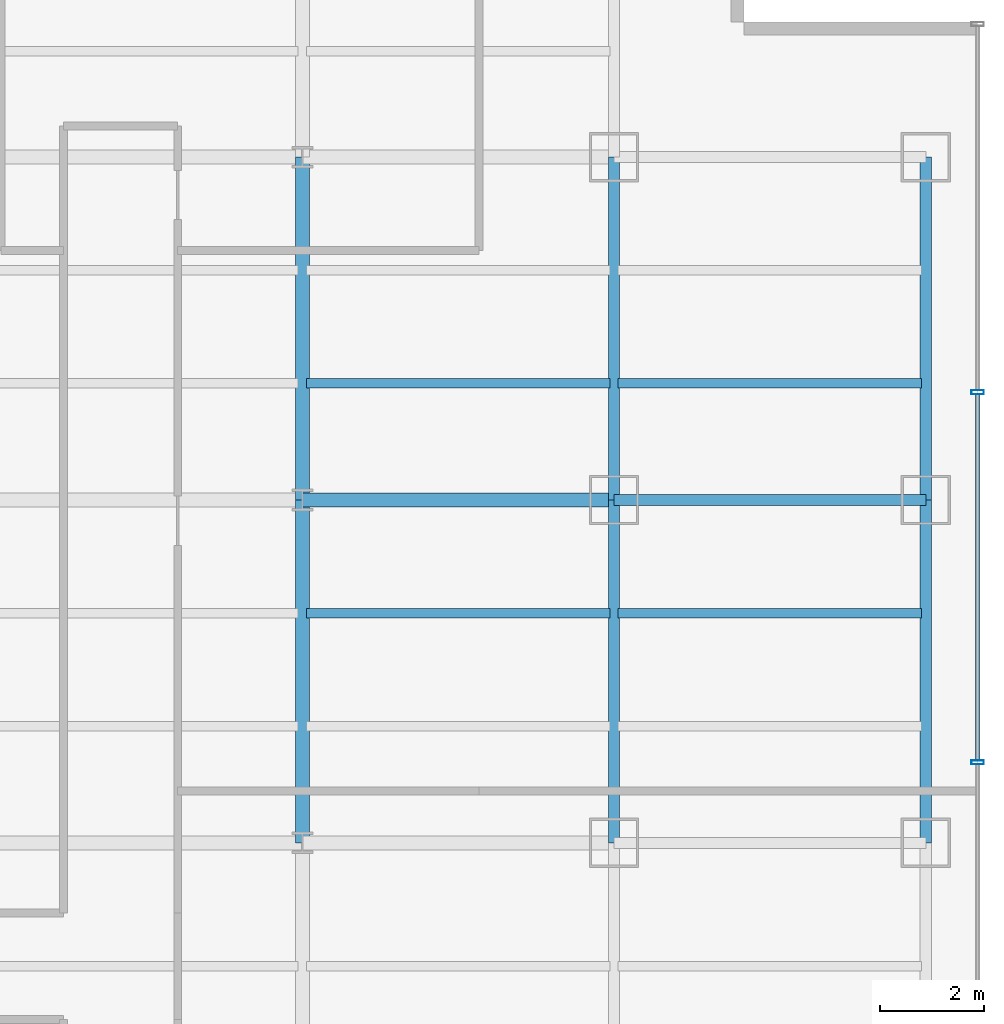
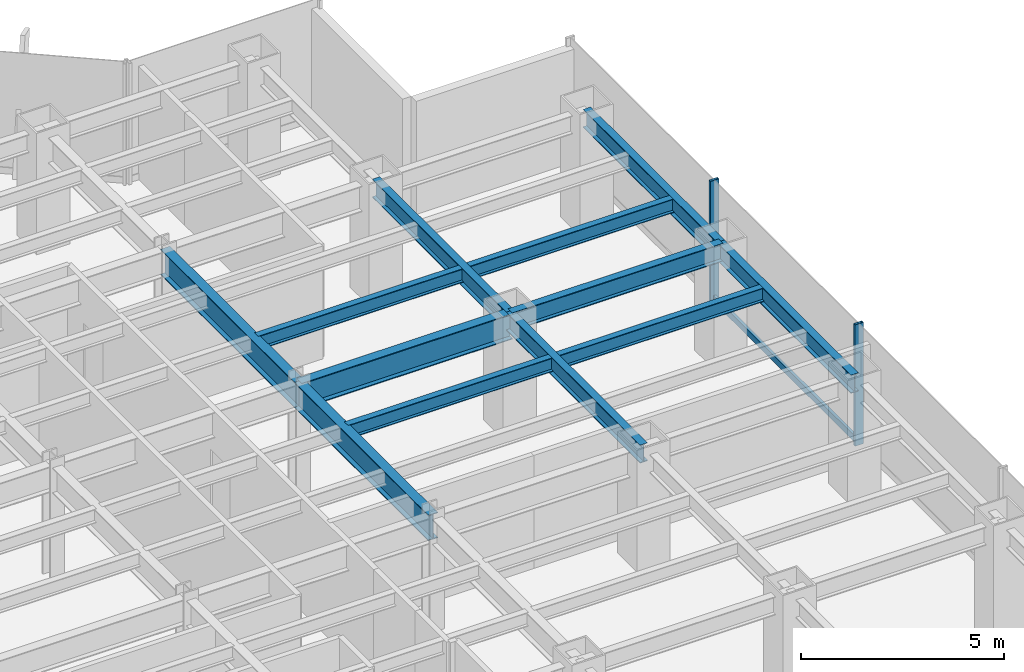
# One storey, part 9 of 22: 12 beams, 3 members, 1 element without a shape of its own.
"""IFC4 building model written with IfcOpenShell, lengths in metres."""

from ifc_helpers import new_model, si_unit, derived_unit, direction, frame, origin, origin_2d, place, context, subcontext, project, spatial, hollow_rectangle, i_section, extrude, source, transform, mapped, material, material_profile, profile_set, type_object, element, aggregate, save


model = new_model("IFC4")

# Units and contexts
model_context = context("Model", 3, precision=1e-05, world=origin(), true_north=direction((0.0, 1.0)))
body_context = subcontext(model_context, "Body", "Model", "MODEL_VIEW")
ifc_project = project(units=[si_unit("LENGTHUNIT", "METRE"), si_unit("AREAUNIT", "SQUARE_METRE"), si_unit("VOLUMEUNIT", "CUBIC_METRE"), si_unit("PLANEANGLEUNIT", "RADIAN"), si_unit("MASSUNIT", "GRAM", prefix="KILO"), derived_unit("THERMALTRANSMITTANCEUNIT", [(si_unit("POWERUNIT", "WATT"), 1), (si_unit("LENGTHUNIT", "METRE"), -2), (si_unit("THERMODYNAMICTEMPERATUREUNIT", "KELVIN"), -1)])], contexts=[model_context])

# Site, building, storey
site_placement = place(None, origin())
site = spatial("IfcSite", under=ifc_project, at=site_placement, CompositionType="ELEMENT")
building_placement = place(site_placement, origin())
building = spatial("IfcBuilding", under=site, at=building_placement, Name="Skarnbrae Concourse Arena and Tower", CompositionType="ELEMENT")
storey_placement = place(building_placement, frame((0.0, 0.0, 39.800048828125)))
storey = spatial("IfcBuildingStorey", under=building, at=storey_placement, Name="L08", CompositionType="ELEMENT", Elevation=39.800048828125)

# Beams
ifc_material_1 = material(Name="Steel CSA G40.21 350W", Category="steel")
ifc_material_profile_1 = material_profile(ifc_material_1, i_section(OverallWidth=0.214111328125, OverallDepth=0.549072265625, WebThickness=0.0146484375, FlangeThickness=0.023681640625, at=origin_2d()), Name="W530X138")
ifc_profile_set_1 = profile_set([ifc_material_profile_1], Name="Steel CSA G40.21 350W")
beam_type_1 = type_object("IfcBeamType", Name="BM-SPAN-W530X138", PredefinedType="SPANDREL", material=ifc_profile_set_1)
shared_shape_1 = source(origin(), body_context, "Body", "SweptSolid", [
    extrude(i_section(OverallWidth=0.214111328125, OverallDepth=0.549072265625, WebThickness=0.0146484375, FlangeThickness=0.023681640625, at=origin_2d()), origin(), (0.0, 0.0, 1.0), 6.0),
])
beam_1_placement = place(storey_placement, frame((55.0, 27.800048828125, 3.12548828125), z_axis=(1.0, 0.0, 0.0), x_axis=(0.0, 1.0, 0.0)))
element("IfcBeam", 1, at=beam_1_placement, inside=storey, type_object=beam_type_1, Name="L08 Perimeter spandrel Y27.8-9", PredefinedType="SPANDREL", context=body_context, shape_type="MappedRepresentation", body=[
    mapped(shared_shape_1, transform((0.0, 0.0, 0.0))),
])
ifc_material_profile_2 = material_profile(ifc_material_1, i_section(OverallWidth=0.26806640625, OverallDepth=0.77001953125, WebThickness=0.015625, FlangeThickness=0.025390625, at=origin_2d()), Name="W760X196")
ifc_profile_set_2 = profile_set([ifc_material_profile_2], Name="Steel CSA G40.21 350W")
beam_type_2 = type_object("IfcBeamType", Name="BM-GIRD-W760X196", PredefinedType="BEAM", material=ifc_profile_set_2)
shared_shape_2 = source(origin(), body_context, "Body", "SweptSolid", [
    extrude(i_section(OverallWidth=0.26806640625, OverallDepth=0.77001953125, WebThickness=0.015625, FlangeThickness=0.025390625, at=origin_2d()), origin(), (0.0, 0.0, 1.0), 6.60009765625),
])
beam_2_placement = place(storey_placement, frame((49.0, 21.199951171875, 3.014892578125), z_axis=(0.0, 1.0, 0.0), x_axis=(-1.0, 0.0, 0.0)))
element("IfcBeam", 2, at=beam_2_placement, inside=storey, type_object=beam_type_2, Name="L08 Primary N-S girder X49.0-3", PredefinedType="BEAM", context=body_context, shape_type="MappedRepresentation", body=[
    mapped(shared_shape_2, transform((0.0, 0.0, 0.0))),
])
shared_shape_3 = source(origin(), body_context, "Body", "SweptSolid", [
    extrude(i_section(OverallWidth=0.26806640625, OverallDepth=0.77001953125, WebThickness=0.015625, FlangeThickness=0.025390625, at=origin_2d()), origin(), (0.0, 0.0, 1.0), 6.0),
])
beam_3_placement = place(storey_placement, frame((49.0, 27.800048828125, 3.014892578125), z_axis=(1.0, 0.0, 0.0), x_axis=(0.0, 1.0, 0.0)))
element("IfcBeam", 3, at=beam_3_placement, inside=storey, type_object=beam_type_2, Name="L08 Primary E-W girder Y27.8-8", PredefinedType="BEAM", context=body_context, shape_type="MappedRepresentation", body=[
    mapped(shared_shape_3, transform((0.0, 0.0, 0.0))),
])
shared_shape_4 = source(origin(), body_context, "Body", "SweptSolid", [
    extrude(i_section(OverallWidth=0.214111328125, OverallDepth=0.549072265625, WebThickness=0.0146484375, FlangeThickness=0.023681640625, at=origin_2d()), origin(), (0.0, 0.0, 1.0), 6.60009765625),
])
for number, where, z_axis, x_axis, name in (
    (4, (55.0, 21.199951171875, 3.12548828125), (0.0, 1.0, 0.0), (-1.0, 0.0, 0.0), "L08 Perimeter spandrel X55.0-3"),
    (5, (61.0, 21.199951171875, 3.12548828125), (0.0, 1.0, 0.0), (-1.0, 0.0, 0.0), "L08 Perimeter spandrel X61.0-3"),
):
    element("IfcBeam", number, at=place(storey_placement, frame(where, z_axis=z_axis, x_axis=x_axis)), inside=storey, type_object=beam_type_1, Name=name, PredefinedType="SPANDREL", context=body_context, shape_type="MappedRepresentation", body=[
        mapped(shared_shape_4, transform((0.0, 0.0, 0.0))),
    ])
shared_shape_5 = source(origin(), body_context, "Body", "SweptSolid", [
    extrude(i_section(OverallWidth=0.214111328125, OverallDepth=0.549072265625, WebThickness=0.0146484375, FlangeThickness=0.023681640625, at=origin_2d()), origin(), (0.0, 0.0, 1.0), 6.599853515625),
])
for number, where, z_axis, x_axis, name in (
    (6, (55.0, 27.800048828125, 3.12548828125), (0.0, 1.0, 0.0), (-1.0, 0.0, 0.0), "L08 Perimeter spandrel X55.0-4"),
    (7, (61.0, 27.800048828125, 3.12548828125), (0.0, 1.0, 0.0), (-1.0, 0.0, 0.0), "L08 Perimeter spandrel X61.0-4"),
):
    element("IfcBeam", number, at=place(storey_placement, frame(where, z_axis=z_axis, x_axis=x_axis)), inside=storey, type_object=beam_type_1, Name=name, PredefinedType="SPANDREL", context=body_context, shape_type="MappedRepresentation", body=[
        mapped(shared_shape_5, transform((0.0, 0.0, 0.0))),
    ])
shared_shape_6 = source(origin(), body_context, "Body", "SweptSolid", [
    extrude(i_section(OverallWidth=0.26806640625, OverallDepth=0.77001953125, WebThickness=0.015625, FlangeThickness=0.025390625, at=origin_2d()), origin(), (0.0, 0.0, 1.0), 6.599853515625),
])
beam_4_placement = place(storey_placement, frame((49.0, 27.800048828125, 3.014892578125), z_axis=(0.0, 1.0, 0.0), x_axis=(-1.0, 0.0, 0.0)))
element("IfcBeam", 8, at=beam_4_placement, inside=storey, type_object=beam_type_2, Name="L08 Primary N-S girder X49.0-4", PredefinedType="BEAM", context=body_context, shape_type="MappedRepresentation", body=[
    mapped(shared_shape_6, transform((0.0, 0.0, 0.0))),
])
ifc_material_profile_3 = material_profile(ifc_material_1, i_section(OverallWidth=0.180908203125, OverallDepth=0.4169921875, WebThickness=0.010986328125, FlangeThickness=0.018310546875, at=origin_2d()), Name="W410X85")
ifc_profile_set_3 = profile_set([ifc_material_profile_3], Name="Steel CSA G40.21 350W")
beam_type_3 = type_object("IfcBeamType", Name="BM-JOIST-W410X85", PredefinedType="JOIST", material=ifc_profile_set_3)
shared_shape_7 = source(origin(), body_context, "Body", "SweptSolid", [
    extrude(i_section(OverallWidth=0.180908203125, OverallDepth=0.4169921875, WebThickness=0.010986328125, FlangeThickness=0.018310546875, at=origin_2d()), origin(), (0.0, 0.0, 1.0), 5.83984375),
])
for number, where, z_axis, x_axis, name in (
    (9, (49.080078125, 25.6220703125, 3.19140625), (1.0, 0.0, 0.0), (0.0, 1.0, 0.0), "L08 Secondary floor joist 2.2.8"),
    (10, (55.080078125, 25.6220703125, 3.19140625), (1.0, 0.0, 0.0), (0.0, 1.0, 0.0), "L08 Secondary floor joist 2.2.9"),
    (11, (49.080078125, 30.0439453125, 3.19140625), (1.0, 0.0, 0.0), (0.0, 1.0, 0.0), "L08 Secondary floor joist 3.1.8"),
    (12, (55.080078125, 30.0439453125, 3.19140625), (1.0, 0.0, 0.0), (0.0, 1.0, 0.0), "L08 Secondary floor joist 3.1.9"),
):
    element("IfcBeam", number, at=place(storey_placement, frame(where, z_axis=z_axis, x_axis=x_axis)), inside=storey, type_object=beam_type_3, Name=name, PredefinedType="JOIST", context=body_context, shape_type="MappedRepresentation", body=[
        mapped(shared_shape_7, transform((0.0, 0.0, 0.0))),
    ])

# Curtain wall, members
ifc_material_2 = material(Name="Bronze anodised aluminium 6063-T6", Category="aluminium")
curtain_wall_type = type_object("IfcCurtainWallType", Name="CW-SYS-02-LOWZONE", PredefinedType="USERDEFINED", material=ifc_material_2)
curtain_wall_placement = place(storey_placement, origin())
curtain_wall = element("IfcCurtainWall", 13, at=curtain_wall_placement, inside=storey, type_object=curtain_wall_type, Name="L08 Unitised curtain wall CW-L08-E04", ObjectType="UNITISED CURTAIN WALL", PredefinedType="USERDEFINED")
ifc_material_profile_4 = material_profile(ifc_material_2, hollow_rectangle(XDim=0.080078125, YDim=0.239990234375, WallThickness=0.0048828125, at=origin_2d()), Name="ALU-MULL-80X240")
ifc_profile_set_4 = profile_set([ifc_material_profile_4], Name="Bronze anodised aluminium 6063-T6")
member_type_1 = type_object("IfcMemberType", Name="CWM-CW-02", PredefinedType="MULLION", material=ifc_profile_set_4)
shared_shape_8 = source(origin(), body_context, "Body", "SweptSolid", [
    extrude(hollow_rectangle(XDim=0.080078125, YDim=0.239990234375, WallThickness=0.0048828125, at=origin_2d()), origin(), (0.0, 0.0, 1.0), 3.64990234375),
])
member_1_placement = place(storey_placement, frame((62.0, 22.75, 0.0), z_axis=(0.0, 0.0, 1.0), x_axis=(0.0, 1.0, 0.0)))
member_1 = element("IfcMember", 14, at=member_1_placement, type_object=member_type_1, Name="CW-L08-E04 Mullion 3", PredefinedType="MULLION", context=body_context, shape_type="MappedRepresentation", body=[
    mapped(shared_shape_8, transform((0.0, 0.0, 0.0))),
])
member_2_placement = place(storey_placement, frame((62.0, 29.875, 0.0), z_axis=(0.0, 0.0, 1.0), x_axis=(0.0, 1.0, 0.0)))
member_2 = element("IfcMember", 15, at=member_2_placement, type_object=member_type_1, Name="CW-L08-E04 Mullion 4", PredefinedType="MULLION", context=body_context, shape_type="MappedRepresentation", body=[
    mapped(shared_shape_8, transform((0.0, 0.0, 0.0))),
])
ifc_material_profile_5 = material_profile(ifc_material_2, hollow_rectangle(XDim=0.080078125, YDim=0.18994140625, WallThickness=0.0048828125, at=origin_2d()), Name="ALU-TRAN-80X190")
ifc_profile_set_5 = profile_set([ifc_material_profile_5], Name="Bronze anodised aluminium 6063-T6")
member_type_2 = type_object("IfcMemberType", Name="CWT-CW-02", PredefinedType="USERDEFINED", material=ifc_profile_set_5)
shared_shape_9 = source(origin(), body_context, "Body", "SweptSolid", [
    extrude(hollow_rectangle(XDim=0.080078125, YDim=0.18994140625, WallThickness=0.0048828125, at=origin_2d()), origin(), (0.0, 0.0, 1.0), 7.044921875),
])
member_3_placement = place(storey_placement, frame((62.0, 22.7900390625, 0.094970703125), z_axis=(0.0, 1.0, 0.0), x_axis=(-1.0, 0.0, 0.0)))
member_3 = element("IfcMember", 16, at=member_3_placement, type_object=member_type_2, Name="CW-L08-E04 Transom 3", ObjectType="TRANSOM", PredefinedType="USERDEFINED", context=body_context, shape_type="MappedRepresentation", body=[
    mapped(shared_shape_9, transform((0.0, 0.0, 0.0))),
])
aggregate(curtain_wall, [member_1, member_2, member_3])

save(model, "model.ifc")
